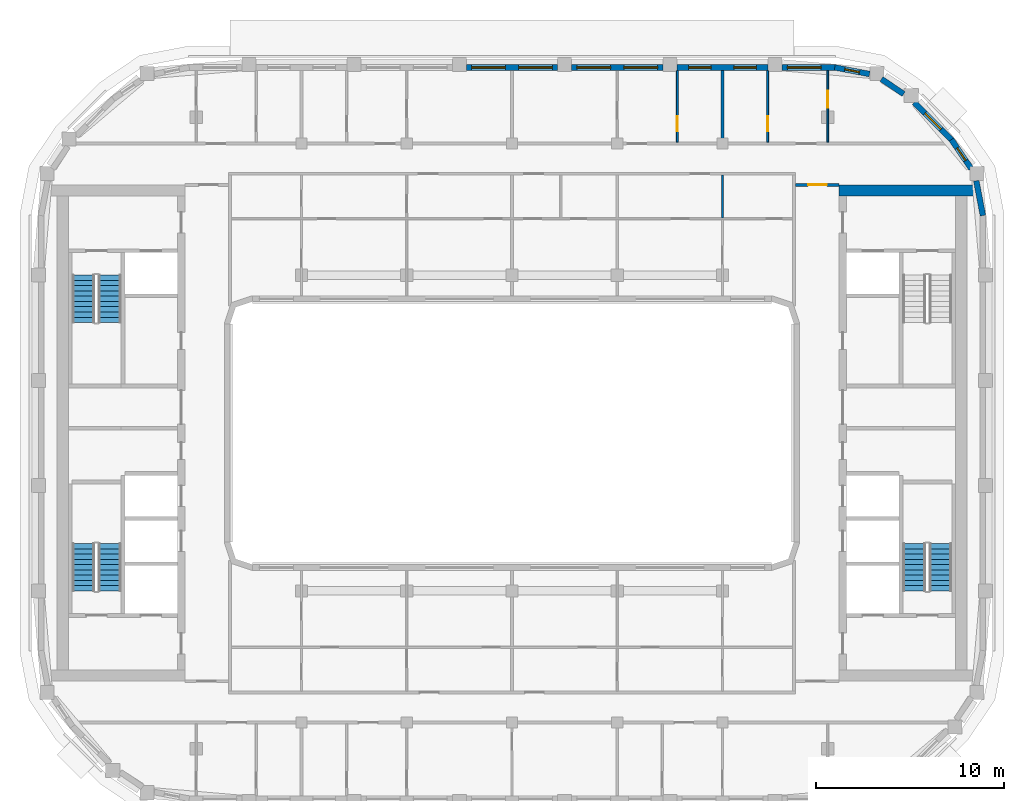
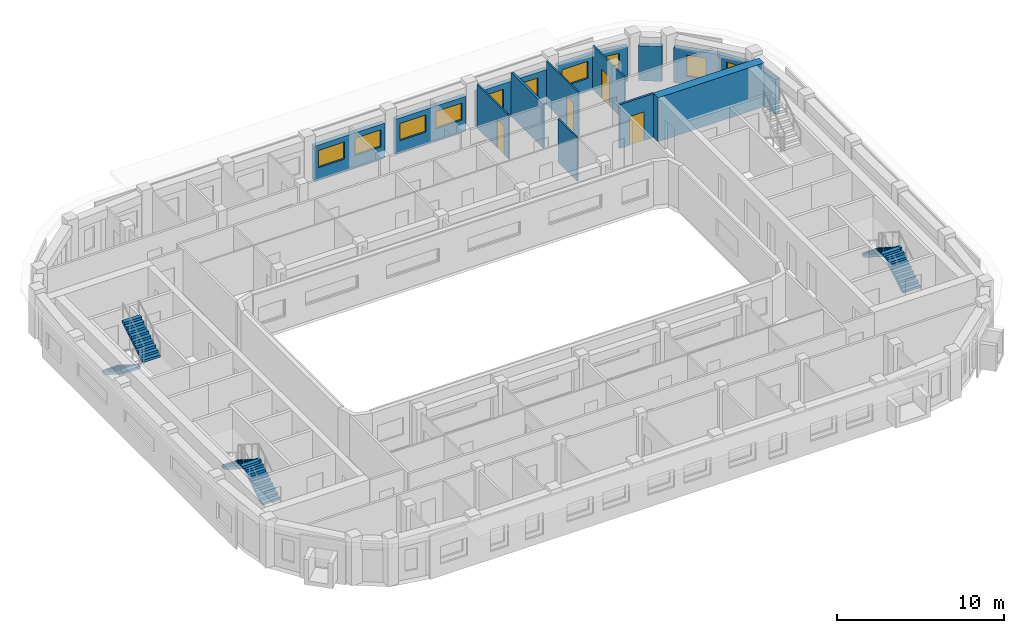
# One storey, part 8 of 16: 16 walls, 10 windows, 6 stair flights, 4 doors, 14 openings, 3 elements without a shape of their own.
"""IFC4 building model written with IfcOpenShell, lengths in metres."""

from ifc_helpers import new_model, si_unit, direction, frame, frame_2d, origin, place, context, subcontext, project, spatial, polyline, rectangle, outline, extrude, material, layer, layer_set, type_object, element, fill, aggregate, save


model = new_model("IFC4")

# Units and contexts
model_context = context("Model", 3, precision=1e-05, world=origin(), true_north=direction((0.0, 1.0)))
body_context = subcontext(model_context, "Body", "Model", "MODEL_VIEW")
ifc_project = project(units=[si_unit("LENGTHUNIT", "METRE"), si_unit("AREAUNIT", "SQUARE_METRE"), si_unit("VOLUMEUNIT", "CUBIC_METRE"), si_unit("PLANEANGLEUNIT", "RADIAN"), si_unit("MASSUNIT", "GRAM", prefix="KILO")], contexts=[model_context])

# Site, building, storey
site_placement = place(None, origin())
site = spatial("IfcSite", under=ifc_project, at=site_placement, CompositionType="ELEMENT")
building_placement = place(site_placement, origin())
building = spatial("IfcBuilding", under=site, at=building_placement, Name="Kiln Ring Residences", CompositionType="ELEMENT")
storey_placement = place(building_placement, frame((0.0, 0.0, 273.199951171875)))
storey = spatial("IfcBuildingStorey", under=building, at=storey_placement, Name="L71", CompositionType="ELEMENT", Elevation=273.199951171875)

# Walls
ifc_material_1 = material(Name="Concrete C60/75", Category="concrete")
ifc_layer_1 = layer(ifc_material_1, 0.60009765625)
ifc_layer_set_1 = layer_set([ifc_layer_1], Name="CORE-WALL-RC600")
wall_type_1 = type_object("IfcWallType", Name="CORE-WALL-RC600", PredefinedType="SHEAR", material=ifc_layer_set_1)
wall_1_placement = place(storey_placement, frame((17.39990234375, 12.89990234375, 0.0), z_axis=(0.0, 0.0, 1.0), x_axis=(1.0, 0.0, 0.0)))
element("IfcWall", 1, at=wall_1_placement, inside=storey, type_object=wall_type_1, Name="Core wall east L71 4", PredefinedType="SHEAR", context=body_context, shape_type="SweptSolid", body=[
    extrude(rectangle(XDim=7.320068359375, YDim=0.60009765625, at=frame_2d((3.66015625, 0.0))), origin(), (0.0, 0.0, 1.0), 3.199951171875),
])
ifc_material_2 = material(Name="Brick masonry, dark clay brick", Category="masonry")
ifc_layer_2 = layer(ifc_material_2, 0.300048828125)
ifc_layer_set_2 = layer_set([ifc_layer_2], Name="EW-300 BRICK WALL")
wall_type_2 = type_object("IfcWallType", Name="EW-300 BRICK WALL", PredefinedType="SOLIDWALL", material=ifc_layer_set_2)
wall_2_placement = place(storey_placement, frame((25.052734375, 11.57177734375, 0.0), z_axis=(0.0, 0.0, 1.0), x_axis=(-0.187398348234, 0.982284001233, 0.0)))
element("IfcWall", 2, at=wall_2_placement, inside=storey, type_object=wall_type_2, Name="Facade wall L71 21", PredefinedType="SOLIDWALL", context=body_context, shape_type="SweptSolid", body=[
    extrude(rectangle(XDim=1.88134765625, YDim=0.300048828125, at=frame_2d((0.940673828125, 0.0))), origin(), (0.0, 0.0, 1.0), 2.550048828125),
])

# Wall, opening, window
wall_3_placement = place(storey_placement, frame((24.436279296875, 14.056884765625, 0.0), z_axis=(0.0, 0.0, 1.0), x_axis=(-0.562075713892, 0.827085782645, 0.0)))
wall_3 = element("IfcWall", 3, at=wall_3_placement, inside=storey, type_object=wall_type_2, Name="Facade wall L71 22", PredefinedType="SOLIDWALL", context=body_context, shape_type="SweptSolid", body=[
    extrude(rectangle(XDim=1.881103515625, YDim=0.300048828125, at=frame_2d((0.9404296875, 0.0))), origin(), (0.0, 0.0, 1.0), 2.550048828125),
])
opening_1_placement = place(wall_3_placement, frame((0.54052734375, 0.0, 0.60009765625)))
opening_1 = element("IfcOpeningElement", 4, at=opening_1_placement, cuts=wall_3, Name="Opening W5", PredefinedType="OPENING", context=body_context, shape_type="SweptSolid", body=[
    extrude(rectangle(XDim=0.800048828125, YDim=1.550048828125, at=frame_2d((0.39990234375, 0.77490234375))), frame((0.0, 0.159912109375, 0.0), z_axis=(0.0, -1.0, 0.0), x_axis=(1.0, 0.0, 0.0)), (0.0, 0.0, 1.0), 0.320068359375),
])
ifc_material_3 = material(Name="Aluminium frame with double glazing", Category="aluminium")
window_type_1 = type_object("IfcWindowType", Name="WINDOW 800 x 1550", PartitioningType="SINGLE_PANEL", PredefinedType="WINDOW", material=ifc_material_3)
window_1_placement = place(opening_1_placement, origin())
window_1 = element("IfcWindow", 5, at=window_1_placement, inside=storey, type_object=window_type_1, Name="Window L71 18", OverallHeight=1.550048828125, OverallWidth=0.800048828125, PartitioningType="SINGLE_PANEL", PredefinedType="WINDOW", context=body_context, shape_type="SweptSolid", body=[
    extrude(rectangle(XDim=0.800048828125, YDim=1.550048828125, at=frame_2d((0.39990234375, 0.77490234375))), frame((0.0, 0.030029296875, 0.0), z_axis=(0.0, -1.0, 0.0), x_axis=(1.0, 0.0, 0.0)), (0.0, 0.0, 1.0), 0.06005859375),
])
fill(opening_1, window_1)

wall_4_placement = place(storey_placement, frame((23.39697265625, 15.591064453125, 0.0), z_axis=(0.0, 0.0, 1.0), x_axis=(-0.707106781187, 0.707106781187, 0.0)))
wall_4 = element("IfcWall", 6, at=wall_4_placement, inside=storey, type_object=wall_type_2, Name="Facade wall L71 23", PredefinedType="SOLIDWALL", context=body_context, shape_type="SweptSolid", body=[
    extrude(rectangle(XDim=2.824951171875, YDim=0.300048828125, at=frame_2d((1.41259765625, 0.0))), origin(), (0.0, 0.0, 1.0), 2.550048828125),
])
opening_2_placement = place(wall_4_placement, frame((0.8125, 0.0, 0.60009765625)))
opening_2 = element("IfcOpeningElement", 7, at=opening_2_placement, cuts=wall_4, Name="Opening W1", PredefinedType="OPENING", context=body_context, shape_type="SweptSolid", body=[
    extrude(rectangle(XDim=1.199951171875, YDim=1.550048828125, at=frame_2d((0.60009765625, 0.77490234375))), frame((0.0, 0.159912109375, 0.0), z_axis=(0.0, -1.0, 0.0), x_axis=(1.0, 0.0, 0.0)), (0.0, 0.0, 1.0), 0.320068359375),
])
ifc_material_4 = material(Name="Aluminium frame with double glazing", Category="aluminium")
window_type_2 = type_object("IfcWindowType", Name="WINDOW 1200 x 1550", PartitioningType="SINGLE_PANEL", PredefinedType="WINDOW", material=ifc_material_4)
window_2_placement = place(opening_2_placement, origin())
window_2 = element("IfcWindow", 8, at=window_2_placement, inside=storey, type_object=window_type_2, Name="Window L71 19", OverallHeight=1.550048828125, OverallWidth=1.199951171875, PartitioningType="SINGLE_PANEL", PredefinedType="WINDOW", context=body_context, shape_type="SweptSolid", body=[
    extrude(rectangle(XDim=1.199951171875, YDim=1.550048828125, at=frame_2d((0.60009765625, 0.77490234375))), frame((0.0, 0.030029296875, 0.0), z_axis=(0.0, -1.0, 0.0), x_axis=(1.0, 0.0, 0.0)), (0.0, 0.0, 1.0), 0.06005859375),
])
fill(opening_2, window_2)

# Wall
wall_5_placement = place(storey_placement, frame((20.837158203125, 18.0341796875, 0.0), z_axis=(0.0, 0.0, 1.0), x_axis=(-0.827095130818, 0.562061957952, 0.0)))
element("IfcWall", 9, at=wall_5_placement, inside=storey, type_object=wall_type_2, Name="Facade wall L71 24", PredefinedType="SOLIDWALL", context=body_context, shape_type="SweptSolid", body=[
    extrude(rectangle(XDim=1.427001953125, YDim=0.300048828125, at=frame_2d((0.71337890625, 0.0))), origin(), (0.0, 0.0, 1.0), 2.550048828125),
])

# Wall, opening, window
wall_6_placement = place(storey_placement, frame((19.019775390625, 19.10009765625, 0.0), z_axis=(0.0, 0.0, 1.0), x_axis=(-0.982284001233, 0.187398348234, 0.0)))
wall_6 = element("IfcWall", 10, at=wall_6_placement, inside=storey, type_object=wall_type_2, Name="Facade wall L71 25", PredefinedType="SOLIDWALL", context=body_context, shape_type="SweptSolid", body=[
    extrude(rectangle(XDim=1.88134765625, YDim=0.300048828125, at=frame_2d((0.940673828125, 0.0))), origin(), (0.0, 0.0, 1.0), 2.550048828125),
])
opening_3_placement = place(wall_6_placement, frame((0.54052734375, 0.0, 0.60009765625)))
opening_3 = element("IfcOpeningElement", 11, at=opening_3_placement, cuts=wall_6, Name="Opening W5", PredefinedType="OPENING", context=body_context, shape_type="SweptSolid", body=[
    extrude(rectangle(XDim=0.800048828125, YDim=1.550048828125, at=frame_2d((0.39990234375, 0.77490234375))), frame((0.0, 0.159912109375, 0.0), z_axis=(0.0, -1.0, 0.0), x_axis=(1.0, 0.0, 0.0)), (0.0, 0.0, 1.0), 0.320068359375),
])
window_3_placement = place(opening_3_placement, origin())
window_3 = element("IfcWindow", 12, at=window_3_placement, inside=storey, type_object=window_type_1, Name="Window L71 20", OverallHeight=1.550048828125, OverallWidth=0.800048828125, PartitioningType="SINGLE_PANEL", PredefinedType="WINDOW", context=body_context, shape_type="SweptSolid", body=[
    extrude(rectangle(XDim=0.800048828125, YDim=1.550048828125, at=frame_2d((0.39990234375, 0.77490234375))), frame((0.0, 0.030029296875, 0.0), z_axis=(0.0, -1.0, 0.0), x_axis=(1.0, 0.0, 0.0)), (0.0, 0.0, 1.0), 0.06005859375),
])
fill(opening_3, window_3)

wall_7_placement = place(storey_placement, frame((17.199951171875, 19.449951171875, 0.0), z_axis=(0.0, 0.0, 1.0), x_axis=(-1.0, 0.0, 0.0)))
wall_7 = element("IfcWall", 13, at=wall_7_placement, inside=storey, type_object=wall_type_2, Name="Facade wall L71 26", PredefinedType="SOLIDWALL", context=body_context, shape_type="SweptSolid", body=[
    extrude(rectangle(XDim=2.824951171875, YDim=0.300048828125, at=frame_2d((1.41259765625, 0.0))), origin(), (0.0, 0.0, 1.0), 2.550048828125),
])
opening_4_placement = place(wall_7_placement, frame((0.75, 0.0, 0.89990234375)))
opening_4 = element("IfcOpeningElement", 14, at=opening_4_placement, cuts=wall_7, Name="Opening W2", PredefinedType="OPENING", context=body_context, shape_type="SweptSolid", body=[
    extrude(rectangle(XDim=1.800048828125, YDim=1.25, at=frame_2d((0.89990234375, 0.625))), frame((0.0, 0.159912109375, 0.0), z_axis=(0.0, -1.0, 0.0), x_axis=(1.0, 0.0, 0.0)), (0.0, 0.0, 1.0), 0.320068359375),
])
ifc_material_5 = material(Name="Aluminium frame with double glazing", Category="aluminium")
window_type_3 = type_object("IfcWindowType", Name="WINDOW 1800 x 1250", PartitioningType="SINGLE_PANEL", PredefinedType="WINDOW", material=ifc_material_5)
window_4_placement = place(opening_4_placement, origin())
window_4 = element("IfcWindow", 15, at=window_4_placement, inside=storey, type_object=window_type_3, Name="Window L71 21", OverallHeight=1.25, OverallWidth=1.800048828125, PartitioningType="SINGLE_PANEL", PredefinedType="WINDOW", context=body_context, shape_type="SweptSolid", body=[
    extrude(rectangle(XDim=1.800048828125, YDim=1.25, at=frame_2d((0.89990234375, 0.625))), frame((0.0, 0.030029296875, 0.0), z_axis=(0.0, -1.0, 0.0), x_axis=(1.0, 0.0, 0.0)), (0.0, 0.0, 1.0), 0.06005859375),
])
fill(opening_4, window_4)

# Wall, openings, windows
wall_8_placement = place(storey_placement, frame((13.625, 19.449951171875, 0.0), z_axis=(0.0, 0.0, 1.0), x_axis=(-1.0, 0.0, 0.0)))
wall_8 = element("IfcWall", 16, at=wall_8_placement, inside=storey, type_object=wall_type_2, Name="Facade wall L71 27", PredefinedType="SOLIDWALL", context=body_context, shape_type="SweptSolid", body=[
    extrude(rectangle(XDim=4.85009765625, YDim=0.300048828125, at=frame_2d((2.425048828125, 0.0))), origin(), (0.0, 0.0, 1.0), 2.550048828125),
])
opening_5_placement = place(wall_8_placement, frame((0.625, 0.0, 0.60009765625)))
opening_5 = element("IfcOpeningElement", 17, at=opening_5_placement, cuts=wall_8, Name="Opening W1", PredefinedType="OPENING", context=body_context, shape_type="SweptSolid", body=[
    extrude(rectangle(XDim=1.199951171875, YDim=1.550048828125, at=frame_2d((0.60009765625, 0.77490234375))), frame((0.0, 0.159912109375, 0.0), z_axis=(0.0, -1.0, 0.0), x_axis=(1.0, 0.0, 0.0)), (0.0, 0.0, 1.0), 0.320068359375),
])
opening_6_placement = place(wall_8_placement, frame((3.02490234375, 0.0, 0.60009765625)))
opening_6 = element("IfcOpeningElement", 18, at=opening_6_placement, cuts=wall_8, Name="Opening W1", PredefinedType="OPENING", context=body_context, shape_type="SweptSolid", body=[
    extrude(rectangle(XDim=1.199951171875, YDim=1.550048828125, at=frame_2d((0.60009765625, 0.77490234375))), frame((0.0, 0.159912109375, 0.0), z_axis=(0.0, -1.0, 0.0), x_axis=(1.0, 0.0, 0.0)), (0.0, 0.0, 1.0), 0.320068359375),
])
window_5_placement = place(opening_5_placement, origin())
window_5 = element("IfcWindow", 19, at=window_5_placement, inside=storey, type_object=window_type_2, Name="Window L71 22", OverallHeight=1.550048828125, OverallWidth=1.199951171875, PartitioningType="SINGLE_PANEL", PredefinedType="WINDOW", context=body_context, shape_type="SweptSolid", body=[
    extrude(rectangle(XDim=1.199951171875, YDim=1.550048828125, at=frame_2d((0.60009765625, 0.77490234375))), frame((0.0, 0.030029296875, 0.0), z_axis=(0.0, -1.0, 0.0), x_axis=(1.0, 0.0, 0.0)), (0.0, 0.0, 1.0), 0.06005859375),
])
fill(opening_5, window_5)
window_6_placement = place(opening_6_placement, origin())
window_6 = element("IfcWindow", 20, at=window_6_placement, inside=storey, type_object=window_type_2, Name="Window L71 23", OverallHeight=1.550048828125, OverallWidth=1.199951171875, PartitioningType="SINGLE_PANEL", PredefinedType="WINDOW", context=body_context, shape_type="SweptSolid", body=[
    extrude(rectangle(XDim=1.199951171875, YDim=1.550048828125, at=frame_2d((0.60009765625, 0.77490234375))), frame((0.0, 0.030029296875, 0.0), z_axis=(0.0, -1.0, 0.0), x_axis=(1.0, 0.0, 0.0)), (0.0, 0.0, 1.0), 0.06005859375),
])
fill(opening_6, window_6)

wall_9_placement = place(storey_placement, frame((8.02490234375, 19.449951171875, 0.0), z_axis=(0.0, 0.0, 1.0), x_axis=(-1.0, 0.0, 0.0)))
wall_9 = element("IfcWall", 21, at=wall_9_placement, inside=storey, type_object=wall_type_2, Name="Facade wall L71 28", PredefinedType="SOLIDWALL", context=body_context, shape_type="SweptSolid", body=[
    extrude(rectangle(XDim=4.849853515625, YDim=0.300048828125, at=frame_2d((2.4248046875, 0.0))), origin(), (0.0, 0.0, 1.0), 2.550048828125),
])
opening_7_placement = place(wall_9_placement, frame((0.27490234375, 0.0, 0.89990234375)))
opening_7 = element("IfcOpeningElement", 22, at=opening_7_placement, cuts=wall_9, Name="Opening W2", PredefinedType="OPENING", context=body_context, shape_type="SweptSolid", body=[
    extrude(rectangle(XDim=1.800048828125, YDim=1.25, at=frame_2d((0.89990234375, 0.625))), frame((0.0, 0.159912109375, 0.0), z_axis=(0.0, -1.0, 0.0), x_axis=(1.0, 0.0, 0.0)), (0.0, 0.0, 1.0), 0.320068359375),
])
opening_8_placement = place(wall_9_placement, frame((2.77490234375, 0.0, 0.89990234375)))
opening_8 = element("IfcOpeningElement", 23, at=opening_8_placement, cuts=wall_9, Name="Opening W2", PredefinedType="OPENING", context=body_context, shape_type="SweptSolid", body=[
    extrude(rectangle(XDim=1.800048828125, YDim=1.25, at=frame_2d((0.89990234375, 0.625))), frame((0.0, 0.159912109375, 0.0), z_axis=(0.0, -1.0, 0.0), x_axis=(1.0, 0.0, 0.0)), (0.0, 0.0, 1.0), 0.320068359375),
])
window_7_placement = place(opening_7_placement, origin())
window_7 = element("IfcWindow", 24, at=window_7_placement, inside=storey, type_object=window_type_3, Name="Window L71 24", OverallHeight=1.25, OverallWidth=1.800048828125, PartitioningType="SINGLE_PANEL", PredefinedType="WINDOW", context=body_context, shape_type="SweptSolid", body=[
    extrude(rectangle(XDim=1.800048828125, YDim=1.25, at=frame_2d((0.89990234375, 0.625))), frame((0.0, 0.030029296875, 0.0), z_axis=(0.0, -1.0, 0.0), x_axis=(1.0, 0.0, 0.0)), (0.0, 0.0, 1.0), 0.06005859375),
])
fill(opening_7, window_7)
window_8_placement = place(opening_8_placement, origin())
window_8 = element("IfcWindow", 25, at=window_8_placement, inside=storey, type_object=window_type_3, Name="Window L71 25", OverallHeight=1.25, OverallWidth=1.800048828125, PartitioningType="SINGLE_PANEL", PredefinedType="WINDOW", context=body_context, shape_type="SweptSolid", body=[
    extrude(rectangle(XDim=1.800048828125, YDim=1.25, at=frame_2d((0.89990234375, 0.625))), frame((0.0, 0.030029296875, 0.0), z_axis=(0.0, -1.0, 0.0), x_axis=(1.0, 0.0, 0.0)), (0.0, 0.0, 1.0), 0.06005859375),
])
fill(opening_8, window_8)

wall_10_placement = place(storey_placement, frame((2.425048828125, 19.449951171875, 0.0), z_axis=(0.0, 0.0, 1.0), x_axis=(-1.0, 0.0, 0.0)))
wall_10 = element("IfcWall", 26, at=wall_10_placement, inside=storey, type_object=wall_type_2, Name="Facade wall L71 29", PredefinedType="SOLIDWALL", context=body_context, shape_type="SweptSolid", body=[
    extrude(rectangle(XDim=4.85009765625, YDim=0.300048828125, at=frame_2d((2.425048828125, 0.0))), origin(), (0.0, 0.0, 1.0), 2.550048828125),
])
opening_9_placement = place(wall_10_placement, frame((0.27490234375, 0.0, 0.89990234375)))
opening_9 = element("IfcOpeningElement", 27, at=opening_9_placement, cuts=wall_10, Name="Opening W2", PredefinedType="OPENING", context=body_context, shape_type="SweptSolid", body=[
    extrude(rectangle(XDim=1.800048828125, YDim=1.25, at=frame_2d((0.89990234375, 0.625))), frame((0.0, 0.159912109375, 0.0), z_axis=(0.0, -1.0, 0.0), x_axis=(1.0, 0.0, 0.0)), (0.0, 0.0, 1.0), 0.320068359375),
])
opening_10_placement = place(wall_10_placement, frame((2.77490234375, 0.0, 0.89990234375)))
opening_10 = element("IfcOpeningElement", 28, at=opening_10_placement, cuts=wall_10, Name="Opening W2", PredefinedType="OPENING", context=body_context, shape_type="SweptSolid", body=[
    extrude(rectangle(XDim=1.800048828125, YDim=1.25, at=frame_2d((0.89990234375, 0.625))), frame((0.0, 0.159912109375, 0.0), z_axis=(0.0, -1.0, 0.0), x_axis=(1.0, 0.0, 0.0)), (0.0, 0.0, 1.0), 0.320068359375),
])
window_9_placement = place(opening_9_placement, origin())
window_9 = element("IfcWindow", 29, at=window_9_placement, inside=storey, type_object=window_type_3, Name="Window L71 26", OverallHeight=1.25, OverallWidth=1.800048828125, PartitioningType="SINGLE_PANEL", PredefinedType="WINDOW", context=body_context, shape_type="SweptSolid", body=[
    extrude(rectangle(XDim=1.800048828125, YDim=1.25, at=frame_2d((0.89990234375, 0.625))), frame((0.0, 0.030029296875, 0.0), z_axis=(0.0, -1.0, 0.0), x_axis=(1.0, 0.0, 0.0)), (0.0, 0.0, 1.0), 0.06005859375),
])
fill(opening_9, window_9)
window_10_placement = place(opening_10_placement, origin())
window_10 = element("IfcWindow", 30, at=window_10_placement, inside=storey, type_object=window_type_3, Name="Window L71 27", OverallHeight=1.25, OverallWidth=1.800048828125, PartitioningType="SINGLE_PANEL", PredefinedType="WINDOW", context=body_context, shape_type="SweptSolid", body=[
    extrude(rectangle(XDim=1.800048828125, YDim=1.25, at=frame_2d((0.89990234375, 0.625))), frame((0.0, 0.030029296875, 0.0), z_axis=(0.0, -1.0, 0.0), x_axis=(1.0, 0.0, 0.0)), (0.0, 0.0, 1.0), 0.06005859375),
])
fill(opening_10, window_10)

# Wall, opening, door
ifc_material_6 = material(Name="Gypsum board on steel studs", Category="steel")
ifc_layer_3 = layer(ifc_material_6, 0.10009765625)
ifc_layer_set_3 = layer_set([ifc_layer_3], Name="PARTITION-100")
wall_type_3 = type_object("IfcWallType", Name="PARTITION-100", PredefinedType="PARTITIONING", material=ifc_layer_set_3)
wall_11_placement = place(storey_placement, frame((8.800048828125, 15.47509765625, 0.0), z_axis=(0.0, 0.0, 1.0), x_axis=(0.0, 1.0, 0.0)))
wall_11 = element("IfcWall", 31, at=wall_11_placement, inside=storey, type_object=wall_type_3, Name="Partition 044", PredefinedType="PARTITIONING", context=body_context, shape_type="SweptSolid", body=[
    extrude(rectangle(XDim=3.804931640625, YDim=0.10009765625, at=frame_2d((1.90234375, 0.0))), origin(), (0.0, 0.0, 1.0), 3.199951171875),
])
opening_11_placement = place(wall_11_placement, frame((0.575927734375, 0.0, 0.0)))
opening_11 = element("IfcOpeningElement", 32, at=opening_11_placement, cuts=wall_11, Name="Opening L71-D025", PredefinedType="OPENING", context=body_context, shape_type="SweptSolid", body=[
    extrude(rectangle(XDim=0.800048828125, YDim=2.10009765625, at=frame_2d((0.39990234375, 1.050048828125))), frame((0.0, 0.06005859375, 0.0), z_axis=(0.0, -1.0, 0.0), x_axis=(1.0, 0.0, 0.0)), (0.0, 0.0, 1.0), 0.1201171875),
])
ifc_material_7 = material(Name="Timber door leaf", Category="wood")
door_type_1 = type_object("IfcDoorType", Name="FLAT-DOOR-800-PL", OperationType="SINGLE_SWING_LEFT", PredefinedType="DOOR", material=ifc_material_7)
door_1_placement = place(opening_11_placement, origin())
door_1 = element("IfcDoor", 33, at=door_1_placement, inside=storey, type_object=door_type_1, Name="Door L71-D025", OperationType="SINGLE_SWING_LEFT", OverallHeight=2.10009765625, OverallWidth=0.800048828125, PredefinedType="DOOR", context=body_context, shape_type="SweptSolid", body=[
    extrude(rectangle(XDim=0.800048828125, YDim=2.10009765625, at=frame_2d((0.39990234375, 1.050048828125))), frame((0.0, 0.02490234375, 0.0), z_axis=(0.0, -1.0, 0.0), x_axis=(1.0, 0.0, 0.0)), (0.0, 0.0, 1.0), 0.050048828125),
])
fill(opening_11, door_1)

# Wall
wall_12_placement = place(storey_placement, frame((11.199951171875, 11.449951171875, 0.0), z_axis=(0.0, 0.0, 1.0), x_axis=(0.0, 1.0, 0.0)))
element("IfcWall", 34, at=wall_12_placement, inside=storey, type_object=wall_type_3, Name="Partition 049", PredefinedType="PARTITIONING", context=body_context, shape_type="SweptSolid", body=[
    extrude(rectangle(XDim=2.275146484375, YDim=0.10009765625, at=frame_2d((1.1376953125, 0.0))), origin(), (0.0, 0.0, 1.0), 3.199951171875),
])

# Wall, opening, door
wall_13_placement = place(storey_placement, frame((13.60009765625, 15.47509765625, 0.0), z_axis=(0.0, 0.0, 1.0), x_axis=(0.0, 1.0, 0.0)))
wall_13 = element("IfcWall", 35, at=wall_13_placement, inside=storey, type_object=wall_type_3, Name="Partition 051", PredefinedType="PARTITIONING", context=body_context, shape_type="SweptSolid", body=[
    extrude(rectangle(XDim=3.804931640625, YDim=0.10009765625, at=frame_2d((1.90234375, 0.0))), origin(), (0.0, 0.0, 1.0), 3.199951171875),
])
opening_12_placement = place(wall_13_placement, frame((0.5849609375, 0.0, 0.0)))
opening_12 = element("IfcOpeningElement", 36, at=opening_12_placement, cuts=wall_13, Name="Opening L71-D028", PredefinedType="OPENING", context=body_context, shape_type="SweptSolid", body=[
    extrude(rectangle(XDim=0.800048828125, YDim=2.10009765625, at=frame_2d((0.39990234375, 1.050048828125))), frame((0.0, 0.06005859375, 0.0), z_axis=(0.0, -1.0, 0.0), x_axis=(1.0, 0.0, 0.0)), (0.0, 0.0, 1.0), 0.1201171875),
])
door_2_placement = place(opening_12_placement, origin())
door_2 = element("IfcDoor", 37, at=door_2_placement, inside=storey, type_object=door_type_1, Name="Door L71-D028", OperationType="SINGLE_SWING_RIGHT", OverallHeight=2.10009765625, OverallWidth=0.800048828125, PredefinedType="DOOR", context=body_context, shape_type="SweptSolid", body=[
    extrude(rectangle(XDim=0.800048828125, YDim=2.10009765625, at=frame_2d((0.39990234375, 1.050048828125))), frame((0.0, 0.02490234375, 0.0), z_axis=(0.0, -1.0, 0.0), x_axis=(1.0, 0.0, 0.0)), (0.0, 0.0, 1.0), 0.050048828125),
])
fill(opening_12, door_2)

wall_14_placement = place(storey_placement, frame((16.800048828125, 15.47509765625, 0.0), z_axis=(0.0, 0.0, 1.0), x_axis=(0.0, 1.0, 0.0)))
wall_14 = element("IfcWall", 38, at=wall_14_placement, inside=storey, type_object=wall_type_3, Name="Partition 055", PredefinedType="PARTITIONING", context=body_context, shape_type="SweptSolid", body=[
    extrude(rectangle(XDim=3.804931640625, YDim=0.10009765625, at=frame_2d((1.90234375, 0.0))), origin(), (0.0, 0.0, 1.0), 3.199951171875),
])
opening_13_placement = place(wall_14_placement, frame((1.825927734375, 0.0, 0.0)))
opening_13 = element("IfcOpeningElement", 39, at=opening_13_placement, cuts=wall_14, Name="Opening L71-D029", PredefinedType="OPENING", context=body_context, shape_type="SweptSolid", body=[
    extrude(rectangle(XDim=0.89990234375, YDim=2.10009765625, at=frame_2d((0.449951171875, 1.050048828125))), frame((0.0, 0.06005859375, 0.0), z_axis=(0.0, -1.0, 0.0), x_axis=(1.0, 0.0, 0.0)), (0.0, 0.0, 1.0), 0.1201171875),
])
ifc_material_8 = material(Name="Timber door leaf", Category="wood")
door_type_2 = type_object("IfcDoorType", Name="FLAT-DOOR-900-PL", OperationType="SINGLE_SWING_LEFT", PredefinedType="DOOR", material=ifc_material_8)
door_3_placement = place(opening_13_placement, origin())
door_3 = element("IfcDoor", 40, at=door_3_placement, inside=storey, type_object=door_type_2, Name="Door L71-D029", OperationType="SINGLE_SWING_RIGHT", OverallHeight=2.10009765625, OverallWidth=0.89990234375, PredefinedType="DOOR", context=body_context, shape_type="SweptSolid", body=[
    extrude(rectangle(XDim=0.89990234375, YDim=2.10009765625, at=frame_2d((0.449951171875, 1.050048828125))), frame((0.0, 0.02490234375, 0.0), z_axis=(0.0, -1.0, 0.0), x_axis=(1.0, 0.0, 0.0)), (0.0, 0.0, 1.0), 0.050048828125),
])
fill(opening_13, door_3)

ifc_material_9 = material(Name="Brick masonry partition", Category="masonry")
ifc_layer_4 = layer(ifc_material_9, 0.14990234375)
ifc_layer_set_4 = layer_set([ifc_layer_4], Name="PARTITION-150-ei60")
wall_type_4 = type_object("IfcWallType", Name="PARTITION-150-ei60", PredefinedType="PARTITIONING", material=ifc_layer_set_4)
wall_15_placement = place(storey_placement, frame((15.074951171875, 13.199951171875, 0.0), z_axis=(0.0, 0.0, 1.0), x_axis=(1.0, 0.0, 0.0)))
wall_15 = element("IfcWall", 41, at=wall_15_placement, inside=storey, type_object=wall_type_4, Name="Partition 007", PredefinedType="PARTITIONING", context=body_context, shape_type="SweptSolid", body=[
    extrude(rectangle(XDim=2.324951171875, YDim=0.14990234375, at=frame_2d((1.16259765625, 0.0))), origin(), (0.0, 0.0, 1.0), 3.199951171875),
])
opening_14_placement = place(wall_15_placement, frame((0.675048828125, 0.0, 0.0)))
opening_14 = element("IfcOpeningElement", 42, at=opening_14_placement, cuts=wall_15, Name="Opening L71-D002", PredefinedType="OPENING", context=body_context, shape_type="SweptSolid", body=[
    extrude(rectangle(XDim=1.0, YDim=2.10009765625, at=frame_2d((0.5, 1.050048828125))), frame((0.0, 0.0849609375, 0.0), z_axis=(0.0, -1.0, 0.0), x_axis=(1.0, 0.0, 0.0)), (0.0, 0.0, 1.0), 0.169921875),
])
ifc_material_10 = material(Name="Steel faced fire door leaf", Category="steel")
door_type_3 = type_object("IfcDoorType", Name="FLAT-DOOR-1000-FR", OperationType="SINGLE_SWING_LEFT", PredefinedType="DOOR", material=ifc_material_10)
door_4_placement = place(opening_14_placement, origin())
door_4 = element("IfcDoor", 43, at=door_4_placement, inside=storey, type_object=door_type_3, Name="Door L71-D002", OperationType="SINGLE_SWING_LEFT", OverallHeight=2.10009765625, OverallWidth=1.0, PredefinedType="DOOR", context=body_context, shape_type="SweptSolid", body=[
    extrude(rectangle(XDim=1.0, YDim=2.10009765625, at=frame_2d((0.5, 1.050048828125))), frame((0.0, 0.02490234375, 0.0), z_axis=(0.0, -1.0, 0.0), x_axis=(1.0, 0.0, 0.0)), (0.0, 0.0, 1.0), 0.050048828125),
])
fill(opening_14, door_4)

# Wall
wall_16_placement = place(storey_placement, frame((11.199951171875, 15.47509765625, 0.0), z_axis=(0.0, 0.0, 1.0), x_axis=(0.0, 1.0, 0.0)))
element("IfcWall", 44, at=wall_16_placement, inside=storey, type_object=wall_type_4, Name="Partition 050", PredefinedType="PARTITIONING", context=body_context, shape_type="SweptSolid", body=[
    extrude(rectangle(XDim=3.804931640625, YDim=0.14990234375, at=frame_2d((1.90234375, 0.0))), origin(), (0.0, 0.0, 1.0), 3.199951171875),
])

# Stair, stair flights
ifc_material_11 = material(Name="Concrete C40/50", Category="concrete")
stair_type = type_object("IfcStairType", Name="CORE-STAIR", PredefinedType="HALF_TURN_STAIR", material=ifc_material_11)
placement = place(storey_placement, origin())
stair_1 = element("IfcStair", 45, at=placement, inside=storey, type_object=stair_type, Name="L71 stair W-STN", PredefinedType="HALF_TURN_STAIR")
ifc_material_12 = material(Name="Concrete C40/50", Category="concrete")
stair_flight_type = type_object("IfcStairFlightType", Name="CORE-STAIR-FLIGHT", PredefinedType="STRAIGHT", material=ifc_material_12)
stair_flight_1_placement = place(storey_placement, frame((-22.800048828125, 8.39990234375, 0.0), z_axis=(0.0, 0.0, 1.0), x_axis=(0.0, -1.0, 0.0)))
stair_flight_1 = element("IfcStairFlight", 46, at=stair_flight_1_placement, type_object=stair_flight_type, Name="W-STN flight 1", NumberOfRisers=10, NumberOfTreads=9, PredefinedType="STRAIGHT", RiserHeight=0.175, TreadLength=0.28, context=body_context, shape_type="SweptSolid", body=[
    extrude(outline(polyline([(0.0, 0.0), (0.0, 0.175048828125), (0.280029296875, 0.175048828125), (0.280029296875, 0.35009765625), (0.56005859375, 0.35009765625), (0.56005859375, 0.52490234375), (0.840087890625, 0.52490234375), (0.840087890625, 0.699951171875), (1.1201171875, 0.699951171875), (1.1201171875, 0.875), (1.39990234375, 0.875), (1.39990234375, 1.050048828125), (1.679931640625, 1.050048828125), (1.679931640625, 1.22509765625), (1.9599609375, 1.22509765625), (1.9599609375, 1.39990234375), (2.239990234375, 1.39990234375), (2.239990234375, 1.574951171875), (2.52001953125, 1.574951171875), (2.52001953125, 1.75), (2.52001953125, 1.398193359375), (0.28271484375, 0.0), (0.0, 0.0)])), frame((0.0, 0.60009765625, 0.0), z_axis=(0.0, -1.0, 0.0), x_axis=(1.0, 0.0, 0.0)), (0.0, 0.0, 1.0), 1.199951171875),
])
stair_flight_2_placement = place(storey_placement, frame((-21.39990234375, 5.8798828125, 1.75), z_axis=(0.0, 0.0, 1.0), x_axis=(0.0, 1.0, 0.0)))
stair_flight_2 = element("IfcStairFlight", 47, at=stair_flight_2_placement, type_object=stair_flight_type, Name="W-STN flight 2", NumberOfRisers=10, NumberOfTreads=9, PredefinedType="STRAIGHT", RiserHeight=0.175, TreadLength=0.28, context=body_context, shape_type="SweptSolid", body=[
    extrude(outline(polyline([(0.0, 0.0), (0.0, 0.175048828125), (0.280029296875, 0.175048828125), (0.280029296875, 0.35009765625), (0.56005859375, 0.35009765625), (0.56005859375, 0.52490234375), (0.840087890625, 0.52490234375), (0.840087890625, 0.699951171875), (1.1201171875, 0.699951171875), (1.1201171875, 0.875), (1.39990234375, 0.875), (1.39990234375, 1.050048828125), (1.679931640625, 1.050048828125), (1.679931640625, 1.22509765625), (1.9599609375, 1.22509765625), (1.9599609375, 1.39990234375), (2.239990234375, 1.39990234375), (2.239990234375, 1.574951171875), (2.52001953125, 1.574951171875), (2.52001953125, 1.75), (2.52001953125, 1.398193359375), (0.28271484375, 0.0), (0.0, 0.0)])), frame((0.0, 0.60009765625, 0.0), z_axis=(0.0, -1.0, 0.0), x_axis=(1.0, 0.0, 0.0)), (0.0, 0.0, 1.0), 1.199951171875),
])
aggregate(stair_1, [stair_flight_1, stair_flight_2])

stair_2 = element("IfcStair", 48, at=placement, inside=storey, type_object=stair_type, Name="L71 stair W-STS", PredefinedType="HALF_TURN_STAIR")
stair_flight_3_placement = place(storey_placement, frame((-21.39990234375, -8.39990234375, 0.0), z_axis=(0.0, 0.0, 1.0), x_axis=(0.0, 1.0, 0.0)))
stair_flight_3 = element("IfcStairFlight", 49, at=stair_flight_3_placement, type_object=stair_flight_type, Name="W-STS flight 1", NumberOfRisers=10, NumberOfTreads=9, PredefinedType="STRAIGHT", RiserHeight=0.175, TreadLength=0.28, context=body_context, shape_type="SweptSolid", body=[
    extrude(outline(polyline([(0.0, 0.0), (0.0, 0.175048828125), (0.280029296875, 0.175048828125), (0.280029296875, 0.35009765625), (0.56005859375, 0.35009765625), (0.56005859375, 0.52490234375), (0.840087890625, 0.52490234375), (0.840087890625, 0.699951171875), (1.1201171875, 0.699951171875), (1.1201171875, 0.875), (1.39990234375, 0.875), (1.39990234375, 1.050048828125), (1.679931640625, 1.050048828125), (1.679931640625, 1.22509765625), (1.9599609375, 1.22509765625), (1.9599609375, 1.39990234375), (2.239990234375, 1.39990234375), (2.239990234375, 1.574951171875), (2.52001953125, 1.574951171875), (2.52001953125, 1.75), (2.52001953125, 1.398193359375), (0.28271484375, 0.0), (0.0, 0.0)])), frame((0.0, 0.60009765625, 0.0), z_axis=(0.0, -1.0, 0.0), x_axis=(1.0, 0.0, 0.0)), (0.0, 0.0, 1.0), 1.199951171875),
])
stair_flight_4_placement = place(storey_placement, frame((-22.800048828125, -5.8798828125, 1.75), z_axis=(0.0, 0.0, 1.0), x_axis=(0.0, -1.0, 0.0)))
stair_flight_4 = element("IfcStairFlight", 50, at=stair_flight_4_placement, type_object=stair_flight_type, Name="W-STS flight 2", NumberOfRisers=10, NumberOfTreads=9, PredefinedType="STRAIGHT", RiserHeight=0.175, TreadLength=0.28, context=body_context, shape_type="SweptSolid", body=[
    extrude(outline(polyline([(0.0, 0.0), (0.0, 0.175048828125), (0.280029296875, 0.175048828125), (0.280029296875, 0.35009765625), (0.56005859375, 0.35009765625), (0.56005859375, 0.52490234375), (0.840087890625, 0.52490234375), (0.840087890625, 0.699951171875), (1.1201171875, 0.699951171875), (1.1201171875, 0.875), (1.39990234375, 0.875), (1.39990234375, 1.050048828125), (1.679931640625, 1.050048828125), (1.679931640625, 1.22509765625), (1.9599609375, 1.22509765625), (1.9599609375, 1.39990234375), (2.239990234375, 1.39990234375), (2.239990234375, 1.574951171875), (2.52001953125, 1.574951171875), (2.52001953125, 1.75), (2.52001953125, 1.398193359375), (0.28271484375, 0.0), (0.0, 0.0)])), frame((0.0, 0.60009765625, 0.0), z_axis=(0.0, -1.0, 0.0), x_axis=(1.0, 0.0, 0.0)), (0.0, 0.0, 1.0), 1.199951171875),
])
aggregate(stair_2, [stair_flight_3, stair_flight_4])

stair_3 = element("IfcStair", 51, at=placement, inside=storey, type_object=stair_type, Name="L71 stair E-STS", PredefinedType="HALF_TURN_STAIR")
stair_flight_5_placement = place(storey_placement, frame((22.800048828125, -8.39990234375, 0.0), z_axis=(0.0, 0.0, 1.0), x_axis=(0.0, 1.0, 0.0)))
stair_flight_5 = element("IfcStairFlight", 52, at=stair_flight_5_placement, type_object=stair_flight_type, Name="E-STS flight 1", NumberOfRisers=10, NumberOfTreads=9, PredefinedType="STRAIGHT", RiserHeight=0.175, TreadLength=0.28, context=body_context, shape_type="SweptSolid", body=[
    extrude(outline(polyline([(0.0, 0.0), (0.0, 0.175048828125), (0.280029296875, 0.175048828125), (0.280029296875, 0.35009765625), (0.56005859375, 0.35009765625), (0.56005859375, 0.52490234375), (0.840087890625, 0.52490234375), (0.840087890625, 0.699951171875), (1.1201171875, 0.699951171875), (1.1201171875, 0.875), (1.39990234375, 0.875), (1.39990234375, 1.050048828125), (1.679931640625, 1.050048828125), (1.679931640625, 1.22509765625), (1.9599609375, 1.22509765625), (1.9599609375, 1.39990234375), (2.239990234375, 1.39990234375), (2.239990234375, 1.574951171875), (2.52001953125, 1.574951171875), (2.52001953125, 1.75), (2.52001953125, 1.398193359375), (0.28271484375, 0.0), (0.0, 0.0)])), frame((0.0, 0.60009765625, 0.0), z_axis=(0.0, -1.0, 0.0), x_axis=(1.0, 0.0, 0.0)), (0.0, 0.0, 1.0), 1.199951171875),
])
stair_flight_6_placement = place(storey_placement, frame((21.39990234375, -5.8798828125, 1.75), z_axis=(0.0, 0.0, 1.0), x_axis=(0.0, -1.0, 0.0)))
stair_flight_6 = element("IfcStairFlight", 53, at=stair_flight_6_placement, type_object=stair_flight_type, Name="E-STS flight 2", NumberOfRisers=10, NumberOfTreads=9, PredefinedType="STRAIGHT", RiserHeight=0.175, TreadLength=0.28, context=body_context, shape_type="SweptSolid", body=[
    extrude(outline(polyline([(0.0, 0.0), (0.0, 0.175048828125), (0.280029296875, 0.175048828125), (0.280029296875, 0.35009765625), (0.56005859375, 0.35009765625), (0.56005859375, 0.52490234375), (0.840087890625, 0.52490234375), (0.840087890625, 0.699951171875), (1.1201171875, 0.699951171875), (1.1201171875, 0.875), (1.39990234375, 0.875), (1.39990234375, 1.050048828125), (1.679931640625, 1.050048828125), (1.679931640625, 1.22509765625), (1.9599609375, 1.22509765625), (1.9599609375, 1.39990234375), (2.239990234375, 1.39990234375), (2.239990234375, 1.574951171875), (2.52001953125, 1.574951171875), (2.52001953125, 1.75), (2.52001953125, 1.398193359375), (0.28271484375, 0.0), (0.0, 0.0)])), frame((0.0, 0.60009765625, 0.0), z_axis=(0.0, -1.0, 0.0), x_axis=(1.0, 0.0, 0.0)), (0.0, 0.0, 1.0), 1.199951171875),
])
aggregate(stair_3, [stair_flight_5, stair_flight_6])

save(model, "model.ifc")
